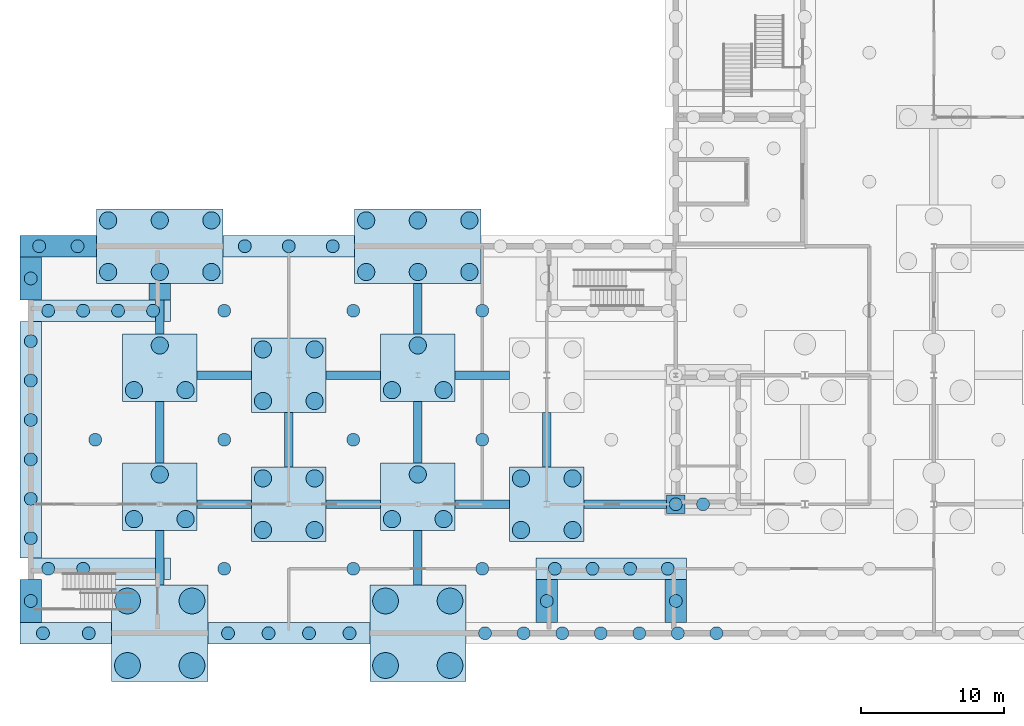
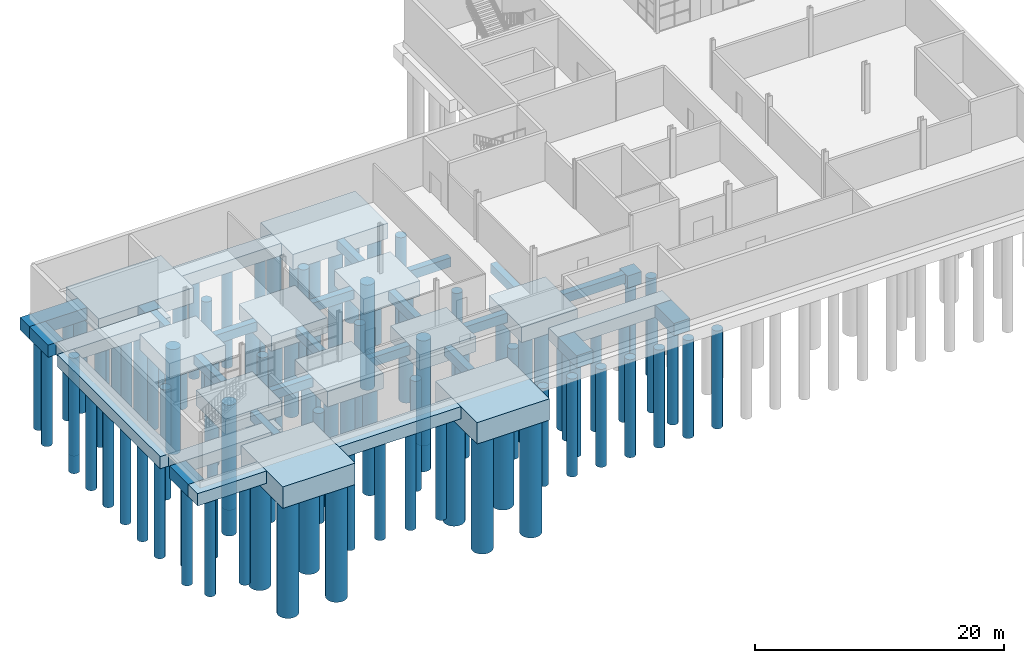
# One storey, part 1 of 17: 94 piles, 40 footings.
"""IFC4 building model written with IfcOpenShell, lengths in metres."""

from ifc_helpers import new_model, si_unit, direction, frame, origin, origin_2d, place, context, subcontext, project, spatial, polyline, circle, outline, extrude, material, material_profile, profile_set, type_object, element, save


model = new_model("IFC4")

# Units and contexts
model_context = context("Model", 3, precision=1e-05, world=origin(), true_north=direction((0.0, 1.0)))
body_context = subcontext(model_context, "Body", "Model", "MODEL_VIEW")
ifc_project = project(units=[si_unit("LENGTHUNIT", "METRE"), si_unit("AREAUNIT", "SQUARE_METRE"), si_unit("VOLUMEUNIT", "CUBIC_METRE"), si_unit("PLANEANGLEUNIT", "RADIAN"), si_unit("MASSUNIT", "GRAM", prefix="KILO")], contexts=[model_context])

# Site, building, storey
site_placement = place(None, origin())
site = spatial("IfcSite", under=ifc_project, at=site_placement, CompositionType="ELEMENT")
building_placement = place(site_placement, origin())
building = spatial("IfcBuilding", under=site, at=building_placement, Name="Halyard Row Museum", CompositionType="ELEMENT")
storey_placement = place(building_placement, frame((0.0, 0.0, -9.60009765625)))
storey = spatial("IfcBuildingStorey", under=building, at=storey_placement, Name="B2", CompositionType="ELEMENT", Elevation=-9.60009765625)

# Piles
ifc_material_1 = material(Name="Concrete 40 MPa", Category="concrete")
ifc_material_profile_1 = material_profile(ifc_material_1, circle(Radius=0.60009765625, at=origin_2d()), Name="Bored pile 1200 x 10.3")
ifc_profile_set_1 = profile_set([ifc_material_profile_1], Name="Concrete 40 MPa")
pile_type_1 = type_object("IfcPileType", Name="Bored pile 1200 x 10.3", PredefinedType="BORED", material=ifc_profile_set_1)
for number, where, z_axis, x_axis, name in (
    (1, (34.199951171875, 25.960693359375, -2.099853515625), (0.0, 0.0, -1.0), (1.0, 0.0, 0.0), "pile:B2:5D:1"),
    (2, (37.800048828125, 25.960693359375, -2.099853515625), (0.0, 0.0, -1.0), (1.0, 0.0, 0.0), "pile:B2:5D:2"),
    (3, (36.0, 29.078369140625, -2.099853515625), (0.0, 0.0, -1.0), (1.0, 0.0, 0.0), "pile:B2:5D:3"),
    (4, (43.199951171875, 25.199951171875, -2.099853515625), (0.0, 0.0, -1.0), (1.0, 0.0, 0.0), "pile:B2:6D:1"),
    (5, (46.800048828125, 25.199951171875, -2.099853515625), (0.0, 0.0, -1.0), (1.0, 0.0, 0.0), "pile:B2:6D:2"),
    (6, (43.199951171875, 28.800048828125, -2.099853515625), (0.0, 0.0, -1.0), (1.0, 0.0, 0.0), "pile:B2:6D:3"),
    (7, (46.800048828125, 28.800048828125, -2.099853515625), (0.0, 0.0, -1.0), (1.0, 0.0, 0.0), "pile:B2:6D:4"),
    (8, (52.199951171875, 25.960693359375, -2.099853515625), (0.0, 0.0, -1.0), (1.0, 0.0, 0.0), "pile:B2:7D:1"),
    (9, (55.800048828125, 25.960693359375, -2.099853515625), (0.0, 0.0, -1.0), (1.0, 0.0, 0.0), "pile:B2:7D:2"),
    (10, (54.0, 29.078369140625, -2.099853515625), (0.0, 0.0, -1.0), (1.0, 0.0, 0.0), "pile:B2:7D:3"),
    (11, (61.199951171875, 25.199951171875, -2.099853515625), (0.0, 0.0, -1.0), (1.0, 0.0, 0.0), "pile:B2:8D:1"),
    (12, (64.800048828125, 25.199951171875, -2.099853515625), (0.0, 0.0, -1.0), (1.0, 0.0, 0.0), "pile:B2:8D:2"),
    (13, (61.199951171875, 28.800048828125, -2.099853515625), (0.0, 0.0, -1.0), (1.0, 0.0, 0.0), "pile:B2:8D:3"),
    (14, (64.800048828125, 28.800048828125, -2.099853515625), (0.0, 0.0, -1.0), (1.0, 0.0, 0.0), "pile:B2:8D:4"),
    (15, (34.199951171875, 34.960693359375, -2.099853515625), (0.0, 0.0, -1.0), (1.0, 0.0, 0.0), "pile:B2:5E:1"),
    (16, (37.800048828125, 34.960693359375, -2.099853515625), (0.0, 0.0, -1.0), (1.0, 0.0, 0.0), "pile:B2:5E:2"),
    (17, (36.0, 38.078369140625, -2.099853515625), (0.0, 0.0, -1.0), (1.0, 0.0, 0.0), "pile:B2:5E:3"),
    (18, (43.199951171875, 34.199951171875, -2.099853515625), (0.0, 0.0, -1.0), (1.0, 0.0, 0.0), "pile:B2:6E:1"),
    (19, (46.800048828125, 34.199951171875, -2.099853515625), (0.0, 0.0, -1.0), (1.0, 0.0, 0.0), "pile:B2:6E:2"),
    (20, (43.199951171875, 37.800048828125, -2.099853515625), (0.0, 0.0, -1.0), (1.0, 0.0, 0.0), "pile:B2:6E:3"),
    (21, (46.800048828125, 37.800048828125, -2.099853515625), (0.0, 0.0, -1.0), (1.0, 0.0, 0.0), "pile:B2:6E:4"),
    (22, (52.199951171875, 34.960693359375, -2.099853515625), (0.0, 0.0, -1.0), (1.0, 0.0, 0.0), "pile:B2:7E:1"),
    (23, (55.800048828125, 34.960693359375, -2.099853515625), (0.0, 0.0, -1.0), (1.0, 0.0, 0.0), "pile:B2:7E:2"),
    (24, (54.0, 38.078369140625, -2.099853515625), (0.0, 0.0, -1.0), (1.0, 0.0, 0.0), "pile:B2:7E:3"),
    (25, (32.39990234375, 43.199951171875, -2.099853515625), (0.0, 0.0, -1.0), (1.0, 0.0, 0.0), "pile:B2:5F:1"),
    (26, (36.0, 43.199951171875, -2.099853515625), (0.0, 0.0, -1.0), (1.0, 0.0, 0.0), "pile:B2:5F:2"),
    (27, (39.60009765625, 43.199951171875, -2.099853515625), (0.0, 0.0, -1.0), (1.0, 0.0, 0.0), "pile:B2:5F:3"),
    (28, (32.39990234375, 46.800048828125, -2.099853515625), (0.0, 0.0, -1.0), (1.0, 0.0, 0.0), "pile:B2:5F:4"),
    (29, (36.0, 46.800048828125, -2.099853515625), (0.0, 0.0, -1.0), (1.0, 0.0, 0.0), "pile:B2:5F:5"),
    (30, (39.60009765625, 46.800048828125, -2.099853515625), (0.0, 0.0, -1.0), (1.0, 0.0, 0.0), "pile:B2:5F:6"),
    (31, (50.39990234375, 43.199951171875, -2.099853515625), (0.0, 0.0, -1.0), (1.0, 0.0, 0.0), "pile:B2:7F:1"),
    (32, (54.0, 43.199951171875, -2.099853515625), (0.0, 0.0, -1.0), (1.0, 0.0, 0.0), "pile:B2:7F:2"),
    (33, (57.60009765625, 43.199951171875, -2.099853515625), (0.0, 0.0, -1.0), (1.0, 0.0, 0.0), "pile:B2:7F:3"),
    (34, (50.39990234375, 46.800048828125, -2.099853515625), (0.0, 0.0, -1.0), (1.0, 0.0, 0.0), "pile:B2:7F:4"),
    (35, (54.0, 46.800048828125, -2.099853515625), (0.0, 0.0, -1.0), (1.0, 0.0, 0.0), "pile:B2:7F:5"),
    (36, (57.60009765625, 46.800048828125, -2.099853515625), (0.0, 0.0, -1.0), (1.0, 0.0, 0.0), "pile:B2:7F:6"),
):
    element("IfcPile", number, at=place(storey_placement, frame(where, z_axis=z_axis, x_axis=x_axis)), inside=storey, type_object=pile_type_1, Name=name, PredefinedType="BORED", context=body_context, shape_type="SweptSolid", body=[
        extrude(circle(Radius=0.60009765625, at=origin_2d()), origin(), (0.0, 0.0, 1.0), 10.300048828125),
    ])
ifc_material_2 = material(Name="Concrete 40 MPa", Category="concrete")
ifc_material_profile_2 = material_profile(ifc_material_2, circle(Radius=0.89990234375, at=origin_2d()), Name="Bored pile 1800 x 11.2")
ifc_profile_set_2 = profile_set([ifc_material_profile_2], Name="Concrete 40 MPa")
pile_type_2 = type_object("IfcPileType", Name="Bored pile 1800 x 11.2", PredefinedType="BORED", material=ifc_profile_set_2)
for number, where, z_axis, x_axis, name in (
    (37, (33.75, 15.75, -2.699951171875), (0.0, 0.0, -1.0), (1.0, 0.0, 0.0), "pile:B2:5C:1"),
    (38, (38.25, 15.75, -2.699951171875), (0.0, 0.0, -1.0), (1.0, 0.0, 0.0), "pile:B2:5C:2"),
    (39, (33.75, 20.25, -2.699951171875), (0.0, 0.0, -1.0), (1.0, 0.0, 0.0), "pile:B2:5C:3"),
    (40, (38.25, 20.25, -2.699951171875), (0.0, 0.0, -1.0), (1.0, 0.0, 0.0), "pile:B2:5C:4"),
    (41, (51.75, 15.75, -2.699951171875), (0.0, 0.0, -1.0), (1.0, 0.0, 0.0), "pile:B2:7C:1"),
    (42, (56.25, 15.75, -2.699951171875), (0.0, 0.0, -1.0), (1.0, 0.0, 0.0), "pile:B2:7C:2"),
    (43, (51.75, 20.25, -2.699951171875), (0.0, 0.0, -1.0), (1.0, 0.0, 0.0), "pile:B2:7C:3"),
    (44, (56.25, 20.25, -2.699951171875), (0.0, 0.0, -1.0), (1.0, 0.0, 0.0), "pile:B2:7C:4"),
):
    element("IfcPile", number, at=place(storey_placement, frame(where, z_axis=z_axis, x_axis=x_axis)), inside=storey, type_object=pile_type_2, Name=name, PredefinedType="BORED", context=body_context, shape_type="SweptSolid", body=[
        extrude(circle(Radius=0.89990234375, at=origin_2d()), origin(), (0.0, 0.0, 1.0), 11.199951171875),
    ])
ifc_material_3 = material(Name="Concrete 40 MPa", Category="concrete")
ifc_material_profile_3 = material_profile(ifc_material_3, circle(Radius=0.449951171875, at=origin_2d()), Name="Bored pile 900 x 10.8")
ifc_profile_set_3 = profile_set([ifc_material_profile_3], Name="Concrete 40 MPa")
pile_type_3 = type_object("IfcPileType", Name="Bored pile 900 x 10.8", PredefinedType="BORED", material=ifc_profile_set_3)
for number, where, z_axis, x_axis, name in (
    (45, (40.5, 22.5, -0.599853515625), (0.0, 0.0, -1.0), (1.0, 0.0, 0.0), "pile:B2:ten01"),
    (46, (49.5, 22.5, -0.599853515625), (0.0, 0.0, -1.0), (1.0, 0.0, 0.0), "pile:B2:ten02"),
    (47, (58.5, 22.5, -0.599853515625), (0.0, 0.0, -1.0), (1.0, 0.0, 0.0), "pile:B2:ten03"),
    (48, (31.5, 31.5, -0.599853515625), (0.0, 0.0, -1.0), (1.0, 0.0, 0.0), "pile:B2:ten08"),
    (49, (40.5, 31.5, -0.599853515625), (0.0, 0.0, -1.0), (1.0, 0.0, 0.0), "pile:B2:ten09"),
    (50, (49.5, 31.5, -0.599853515625), (0.0, 0.0, -1.0), (1.0, 0.0, 0.0), "pile:B2:ten10"),
    (51, (58.5, 31.5, -0.599853515625), (0.0, 0.0, -1.0), (1.0, 0.0, 0.0), "pile:B2:ten11"),
    (52, (40.5, 40.5, -0.599853515625), (0.0, 0.0, -1.0), (1.0, 0.0, 0.0), "pile:B2:ten15"),
    (53, (49.5, 40.5, -0.599853515625), (0.0, 0.0, -1.0), (1.0, 0.0, 0.0), "pile:B2:ten16"),
    (54, (58.5, 40.5, -0.599853515625), (0.0, 0.0, -1.0), (1.0, 0.0, 0.0), "pile:B2:ten17"),
):
    element("IfcPile", number, at=place(storey_placement, frame(where, z_axis=z_axis, x_axis=x_axis)), inside=storey, type_object=pile_type_3, Name=name, PredefinedType="BORED", context=body_context, shape_type="SweptSolid", body=[
        extrude(circle(Radius=0.449951171875, at=origin_2d()), origin(), (0.0, 0.0, 1.0), 10.800048828125),
    ])
ifc_material_4 = material(Name="Concrete 40 MPa", Category="concrete")
ifc_material_profile_4 = material_profile(ifc_material_4, circle(Radius=0.449951171875, at=origin_2d()), Name="Bored pile 900 x 9.6")
ifc_profile_set_4 = profile_set([ifc_material_profile_4], Name="Concrete 40 MPa")
pile_type_4 = type_object("IfcPileType", Name="Bored pile 900 x 9.6", PredefinedType="BORED", material=ifc_profile_set_4)
for number, where, z_axis, x_axis, name in (
    (55, (72.0, 27.0, -1.7998046875), (0.0, 0.0, -1.0), (1.0, 0.0, 0.0), "pile:B2:9D:1"),
    (56, (27.0, 20.25, -1.7998046875), (0.0, 0.0, -1.0), (1.0, 0.0, 0.0), "pile:B2:01:1"),
    (57, (27.0, 24.625, -1.7998046875), (0.0, 0.0, -1.0), (1.0, 0.0, 0.0), "pile:B2:02:1"),
    (58, (27.0, 27.375, -1.7998046875), (0.0, 0.0, -1.0), (1.0, 0.0, 0.0), "pile:B2:02:2"),
    (59, (27.0, 30.125, -1.7998046875), (0.0, 0.0, -1.0), (1.0, 0.0, 0.0), "pile:B2:02:3"),
    (60, (27.0, 32.875, -1.7998046875), (0.0, 0.0, -1.0), (1.0, 0.0, 0.0), "pile:B2:02:4"),
    (61, (27.0, 35.625, -1.7998046875), (0.0, 0.0, -1.0), (1.0, 0.0, 0.0), "pile:B2:02:5"),
    (62, (27.0, 38.375, -1.7998046875), (0.0, 0.0, -1.0), (1.0, 0.0, 0.0), "pile:B2:02:6"),
    (63, (27.0, 42.75, -1.7998046875), (0.0, 0.0, -1.0), (1.0, 0.0, 0.0), "pile:B2:03:1"),
    (64, (63.0, 20.25, -1.7998046875), (0.0, 0.0, -1.0), (1.0, 0.0, 0.0), "pile:B2:05:1"),
    (65, (72.0, 20.25, -1.7998046875), (0.0, 0.0, -1.0), (1.0, 0.0, 0.0), "pile:B2:07:1"),
    (66, (27.85009765625, 18.0, -1.7998046875), (0.0, 0.0, -1.0), (1.0, 0.0, 0.0), "pile:B2:20:1"),
    (67, (31.050048828125, 18.0, -1.7998046875), (0.0, 0.0, -1.0), (1.0, 0.0, 0.0), "pile:B2:20:2"),
    (68, (40.762451171875, 18.0, -1.7998046875), (0.0, 0.0, -1.0), (1.0, 0.0, 0.0), "pile:B2:21:1"),
    (69, (43.58740234375, 18.0, -1.7998046875), (0.0, 0.0, -1.0), (1.0, 0.0, 0.0), "pile:B2:21:2"),
    (70, (46.41259765625, 18.0, -1.7998046875), (0.0, 0.0, -1.0), (1.0, 0.0, 0.0), "pile:B2:21:3"),
    (71, (49.237548828125, 18.0, -1.7998046875), (0.0, 0.0, -1.0), (1.0, 0.0, 0.0), "pile:B2:21:4"),
    (72, (58.69482421875, 18.0, -1.7998046875), (0.0, 0.0, -1.0), (1.0, 0.0, 0.0), "pile:B2:22:1"),
    (73, (61.38427734375, 18.0, -1.7998046875), (0.0, 0.0, -1.0), (1.0, 0.0, 0.0), "pile:B2:22:2"),
    (74, (64.07373046875, 18.0, -1.7998046875), (0.0, 0.0, -1.0), (1.0, 0.0, 0.0), "pile:B2:22:3"),
    (75, (66.76318359375, 18.0, -1.7998046875), (0.0, 0.0, -1.0), (1.0, 0.0, 0.0), "pile:B2:22:4"),
    (76, (69.45263671875, 18.0, -1.7998046875), (0.0, 0.0, -1.0), (1.0, 0.0, 0.0), "pile:B2:22:5"),
    (77, (72.14208984375, 18.0, -1.7998046875), (0.0, 0.0, -1.0), (1.0, 0.0, 0.0), "pile:B2:22:6"),
    (78, (74.83154296875, 18.0, -1.7998046875), (0.0, 0.0, -1.0), (1.0, 0.0, 0.0), "pile:B2:22:7"),
    (79, (28.21875, 22.5, -1.7998046875), (0.0, 0.0, -1.0), (1.0, 0.0, 0.0), "pile:B2:23:1"),
    (80, (30.65625, 22.5, -1.7998046875), (0.0, 0.0, -1.0), (1.0, 0.0, 0.0), "pile:B2:23:2"),
    (81, (63.5625, 22.5, -1.7998046875), (0.0, 0.0, -1.0), (1.0, 0.0, 0.0), "pile:B2:24:1"),
    (82, (66.1875, 22.5, -1.7998046875), (0.0, 0.0, -1.0), (1.0, 0.0, 0.0), "pile:B2:24:2"),
    (83, (68.8125, 22.5, -1.7998046875), (0.0, 0.0, -1.0), (1.0, 0.0, 0.0), "pile:B2:24:3"),
    (84, (71.4375, 22.5, -1.7998046875), (0.0, 0.0, -1.0), (1.0, 0.0, 0.0), "pile:B2:24:4"),
    (85, (73.89990234375, 27.0, -1.7998046875), (0.0, 0.0, -1.0), (1.0, 0.0, 0.0), "pile:B2:25:1"),
    (86, (28.21875, 40.5, -1.7998046875), (0.0, 0.0, -1.0), (1.0, 0.0, 0.0), "pile:B2:29:1"),
    (87, (30.65625, 40.5, -1.7998046875), (0.0, 0.0, -1.0), (1.0, 0.0, 0.0), "pile:B2:29:2"),
    (88, (33.09375, 40.5, -1.7998046875), (0.0, 0.0, -1.0), (1.0, 0.0, 0.0), "pile:B2:29:3"),
    (89, (35.53125, 40.5, -1.7998046875), (0.0, 0.0, -1.0), (1.0, 0.0, 0.0), "pile:B2:29:4"),
    (90, (27.58740234375, 45.0, -1.7998046875), (0.0, 0.0, -1.0), (1.0, 0.0, 0.0), "pile:B2:31:1"),
    (91, (30.262451171875, 45.0, -1.7998046875), (0.0, 0.0, -1.0), (1.0, 0.0, 0.0), "pile:B2:31:2"),
    (92, (41.933349609375, 45.0, -1.7998046875), (0.0, 0.0, -1.0), (1.0, 0.0, 0.0), "pile:B2:32:1"),
    (93, (45.0, 45.0, -1.7998046875), (0.0, 0.0, -1.0), (1.0, 0.0, 0.0), "pile:B2:32:2"),
    (94, (48.066650390625, 45.0, -1.7998046875), (0.0, 0.0, -1.0), (1.0, 0.0, 0.0), "pile:B2:32:3"),
):
    element("IfcPile", number, at=place(storey_placement, frame(where, z_axis=z_axis, x_axis=x_axis)), inside=storey, type_object=pile_type_4, Name=name, PredefinedType="BORED", context=body_context, shape_type="SweptSolid", body=[
        extrude(circle(Radius=0.449951171875, at=origin_2d()), origin(), (0.0, 0.0, 1.0), 9.60009765625),
    ])

# Footings
ifc_material_5 = material(Name="Concrete 40 MPa", Category="concrete")
footing_type_1 = type_object("IfcFootingType", Name="Ground beam", PredefinedType="FOOTING_BEAM", material=ifc_material_5)
footing_1_placement = place(storey_placement, frame((0.0, 0.0, -1.5)))
element("IfcFooting", 95, at=footing_1_placement, inside=storey, type_object=footing_type_1, Name="Ground beam B2-001", PredefinedType="FOOTING_BEAM", context=body_context, shape_type="SweptSolid", body=[
    extrude(outline(polyline([(35.699951171875, 21.35009765625), (36.300048828125, 21.35009765625), (36.300048828125, 25.160888671875), (35.699951171875, 25.160888671875), (35.699951171875, 21.35009765625)])), origin(), (0.0, 0.0, 1.0), 0.900146484375),
])
footing_2_placement = place(storey_placement, frame((0.0, 0.0, -1.5)))
element("IfcFooting", 96, at=footing_2_placement, inside=storey, type_object=footing_type_1, Name="Ground beam B2-002", PredefinedType="FOOTING_BEAM", context=body_context, shape_type="SweptSolid", body=[
    extrude(outline(polyline([(53.699951171875, 21.35009765625), (54.300048828125, 21.35009765625), (54.300048828125, 25.160888671875), (53.699951171875, 25.160888671875), (53.699951171875, 21.35009765625)])), origin(), (0.0, 0.0, 1.0), 0.900146484375),
])
footing_3_placement = place(storey_placement, frame((0.0, 0.0, -1.5)))
element("IfcFooting", 97, at=footing_3_placement, inside=storey, type_object=footing_type_1, Name="Ground beam B2-003", PredefinedType="FOOTING_BEAM", context=body_context, shape_type="SweptSolid", body=[
    extrude(outline(polyline([(35.699951171875, 29.87841796875), (36.300048828125, 29.87841796875), (36.300048828125, 34.160888671875), (35.699951171875, 34.160888671875), (35.699951171875, 29.87841796875)])), origin(), (0.0, 0.0, 1.0), 0.900146484375),
])
footing_4_placement = place(storey_placement, frame((0.0, 0.0, -1.5)))
element("IfcFooting", 98, at=footing_4_placement, inside=storey, type_object=footing_type_1, Name="Ground beam B2-004", PredefinedType="FOOTING_BEAM", context=body_context, shape_type="SweptSolid", body=[
    extrude(outline(polyline([(38.60009765625, 26.699951171875), (42.39990234375, 26.699951171875), (42.39990234375, 27.300048828125), (38.60009765625, 27.300048828125), (38.60009765625, 26.699951171875)])), origin(), (0.0, 0.0, 1.0), 0.900146484375),
])
footing_5_placement = place(storey_placement, frame((0.0, 0.0, -1.5)))
element("IfcFooting", 99, at=footing_5_placement, inside=storey, type_object=footing_type_1, Name="Ground beam B2-005", PredefinedType="FOOTING_BEAM", context=body_context, shape_type="SweptSolid", body=[
    extrude(outline(polyline([(44.699951171875, 29.60009765625), (45.300048828125, 29.60009765625), (45.300048828125, 33.39990234375), (44.699951171875, 33.39990234375), (44.699951171875, 29.60009765625)])), origin(), (0.0, 0.0, 1.0), 0.900146484375),
])
footing_6_placement = place(storey_placement, frame((0.0, 0.0, -1.5)))
element("IfcFooting", 100, at=footing_6_placement, inside=storey, type_object=footing_type_1, Name="Ground beam B2-006", PredefinedType="FOOTING_BEAM", context=body_context, shape_type="SweptSolid", body=[
    extrude(outline(polyline([(47.60009765625, 26.699951171875), (51.39990234375, 26.699951171875), (51.39990234375, 27.300048828125), (47.60009765625, 27.300048828125), (47.60009765625, 26.699951171875)])), origin(), (0.0, 0.0, 1.0), 0.900146484375),
])
footing_7_placement = place(storey_placement, frame((0.0, 0.0, -1.5)))
element("IfcFooting", 101, at=footing_7_placement, inside=storey, type_object=footing_type_1, Name="Ground beam B2-007", PredefinedType="FOOTING_BEAM", context=body_context, shape_type="SweptSolid", body=[
    extrude(outline(polyline([(53.699951171875, 29.87841796875), (54.300048828125, 29.87841796875), (54.300048828125, 34.160888671875), (53.699951171875, 34.160888671875), (53.699951171875, 29.87841796875)])), origin(), (0.0, 0.0, 1.0), 0.900146484375),
])
footing_8_placement = place(storey_placement, frame((0.0, 0.0, -1.5)))
element("IfcFooting", 102, at=footing_8_placement, inside=storey, type_object=footing_type_1, Name="Ground beam B2-008", PredefinedType="FOOTING_BEAM", context=body_context, shape_type="SweptSolid", body=[
    extrude(outline(polyline([(56.60009765625, 26.699951171875), (60.39990234375, 26.699951171875), (60.39990234375, 27.300048828125), (56.60009765625, 27.300048828125), (56.60009765625, 26.699951171875)])), origin(), (0.0, 0.0, 1.0), 0.900146484375),
])
footing_9_placement = place(storey_placement, frame((0.0, 0.0, -1.5)))
element("IfcFooting", 103, at=footing_9_placement, inside=storey, type_object=footing_type_1, Name="Ground beam B2-009", PredefinedType="FOOTING_BEAM", context=body_context, shape_type="SweptSolid", body=[
    extrude(outline(polyline([(62.699951171875, 29.60009765625), (63.300048828125, 29.60009765625), (63.300048828125, 33.39990234375), (62.699951171875, 33.39990234375), (62.699951171875, 29.60009765625)])), origin(), (0.0, 0.0, 1.0), 0.900146484375),
])
footing_10_placement = place(storey_placement, frame((0.0, 0.0, -1.5)))
element("IfcFooting", 104, at=footing_10_placement, inside=storey, type_object=footing_type_1, Name="Ground beam B2-010", PredefinedType="FOOTING_BEAM", context=body_context, shape_type="SweptSolid", body=[
    extrude(outline(polyline([(65.60009765625, 26.699951171875), (71.35009765625, 26.699951171875), (71.35009765625, 27.300048828125), (65.60009765625, 27.300048828125), (65.60009765625, 26.699951171875)])), origin(), (0.0, 0.0, 1.0), 0.900146484375),
])
footing_11_placement = place(storey_placement, frame((0.0, 0.0, -1.5)))
element("IfcFooting", 105, at=footing_11_placement, inside=storey, type_object=footing_type_1, Name="Ground beam B2-018", PredefinedType="FOOTING_BEAM", context=body_context, shape_type="SweptSolid", body=[
    extrude(outline(polyline([(35.699951171875, 38.87841796875), (36.300048828125, 38.87841796875), (36.300048828125, 42.39990234375), (35.699951171875, 42.39990234375), (35.699951171875, 38.87841796875)])), origin(), (0.0, 0.0, 1.0), 0.900146484375),
])
footing_12_placement = place(storey_placement, frame((0.0, 0.0, -1.5)))
element("IfcFooting", 106, at=footing_12_placement, inside=storey, type_object=footing_type_1, Name="Ground beam B2-019", PredefinedType="FOOTING_BEAM", context=body_context, shape_type="SweptSolid", body=[
    extrude(outline(polyline([(38.60009765625, 35.699951171875), (42.39990234375, 35.699951171875), (42.39990234375, 36.300048828125), (38.60009765625, 36.300048828125), (38.60009765625, 35.699951171875)])), origin(), (0.0, 0.0, 1.0), 0.900146484375),
])
footing_13_placement = place(storey_placement, frame((0.0, 0.0, -1.5)))
element("IfcFooting", 107, at=footing_13_placement, inside=storey, type_object=footing_type_1, Name="Ground beam B2-020", PredefinedType="FOOTING_BEAM", context=body_context, shape_type="SweptSolid", body=[
    extrude(outline(polyline([(47.60009765625, 35.699951171875), (51.39990234375, 35.699951171875), (51.39990234375, 36.300048828125), (47.60009765625, 36.300048828125), (47.60009765625, 35.699951171875)])), origin(), (0.0, 0.0, 1.0), 0.900146484375),
])
footing_14_placement = place(storey_placement, frame((0.0, 0.0, -1.5)))
element("IfcFooting", 108, at=footing_14_placement, inside=storey, type_object=footing_type_1, Name="Ground beam B2-021", PredefinedType="FOOTING_BEAM", context=body_context, shape_type="SweptSolid", body=[
    extrude(outline(polyline([(53.699951171875, 38.87841796875), (54.300048828125, 38.87841796875), (54.300048828125, 42.39990234375), (53.699951171875, 42.39990234375), (53.699951171875, 38.87841796875)])), origin(), (0.0, 0.0, 1.0), 0.900146484375),
])
footing_15_placement = place(storey_placement, frame((0.0, 0.0, -1.5)))
element("IfcFooting", 109, at=footing_15_placement, inside=storey, type_object=footing_type_1, Name="Ground beam B2-022", PredefinedType="FOOTING_BEAM", context=body_context, shape_type="SweptSolid", body=[
    extrude(outline(polyline([(56.60009765625, 35.699951171875), (60.39990234375, 35.699951171875), (60.39990234375, 36.300048828125), (56.60009765625, 36.300048828125), (56.60009765625, 35.699951171875)])), origin(), (0.0, 0.0, 1.0), 0.900146484375),
])
ifc_material_6 = material(Name="Concrete 40 MPa", Category="concrete")
footing_type_2 = type_object("IfcFootingType", Name="Pile cap 1 piles 900", PredefinedType="PILE_CAP", material=ifc_material_6)
footing_16_placement = place(storey_placement, frame((0.0, 0.0, -1.7998046875)))
element("IfcFooting", 110, at=footing_16_placement, inside=storey, type_object=footing_type_2, Name="Pile cap 9D B2", PredefinedType="PILE_CAP", context=body_context, shape_type="SweptSolid", body=[
    extrude(outline(polyline([(71.35009765625, 26.35009765625), (72.64990234375, 26.35009765625), (72.64990234375, 27.64990234375), (71.35009765625, 27.64990234375), (71.35009765625, 26.35009765625)])), origin(), (0.0, 0.0, 1.0), 1.199951171875),
])
ifc_material_7 = material(Name="Concrete 40 MPa", Category="concrete")
footing_type_3 = type_object("IfcFootingType", Name="Pile cap 3 piles 1200", PredefinedType="PILE_CAP", material=ifc_material_7)
footing_17_placement = place(storey_placement, frame((0.0, 0.0, -2.099853515625)))
element("IfcFooting", 111, at=footing_17_placement, inside=storey, type_object=footing_type_3, Name="Pile cap 5D B2", PredefinedType="PILE_CAP", context=body_context, shape_type="SweptSolid", body=[
    extrude(outline(polyline([(33.39990234375, 25.160888671875), (38.60009765625, 25.160888671875), (38.60009765625, 29.87841796875), (33.39990234375, 29.87841796875), (33.39990234375, 25.160888671875)])), origin(), (0.0, 0.0, 1.0), 1.5),
])
footing_18_placement = place(storey_placement, frame((0.0, 0.0, -2.099853515625)))
element("IfcFooting", 112, at=footing_18_placement, inside=storey, type_object=footing_type_3, Name="Pile cap 7D B2", PredefinedType="PILE_CAP", context=body_context, shape_type="SweptSolid", body=[
    extrude(outline(polyline([(51.39990234375, 25.160888671875), (56.60009765625, 25.160888671875), (56.60009765625, 29.87841796875), (51.39990234375, 29.87841796875), (51.39990234375, 25.160888671875)])), origin(), (0.0, 0.0, 1.0), 1.5),
])
footing_19_placement = place(storey_placement, frame((0.0, 0.0, -2.099853515625)))
element("IfcFooting", 113, at=footing_19_placement, inside=storey, type_object=footing_type_3, Name="Pile cap 5E B2", PredefinedType="PILE_CAP", context=body_context, shape_type="SweptSolid", body=[
    extrude(outline(polyline([(33.39990234375, 34.160888671875), (38.60009765625, 34.160888671875), (38.60009765625, 38.87841796875), (33.39990234375, 38.87841796875), (33.39990234375, 34.160888671875)])), origin(), (0.0, 0.0, 1.0), 1.5),
])
footing_20_placement = place(storey_placement, frame((0.0, 0.0, -2.099853515625)))
element("IfcFooting", 114, at=footing_20_placement, inside=storey, type_object=footing_type_3, Name="Pile cap 7E B2", PredefinedType="PILE_CAP", context=body_context, shape_type="SweptSolid", body=[
    extrude(outline(polyline([(51.39990234375, 34.160888671875), (56.60009765625, 34.160888671875), (56.60009765625, 38.87841796875), (51.39990234375, 38.87841796875), (51.39990234375, 34.160888671875)])), origin(), (0.0, 0.0, 1.0), 1.5),
])
ifc_material_8 = material(Name="Concrete 40 MPa", Category="concrete")
footing_type_4 = type_object("IfcFootingType", Name="Pile cap 4 piles 1200", PredefinedType="PILE_CAP", material=ifc_material_8)
footing_21_placement = place(storey_placement, frame((0.0, 0.0, -2.099853515625)))
element("IfcFooting", 115, at=footing_21_placement, inside=storey, type_object=footing_type_4, Name="Pile cap 6D B2", PredefinedType="PILE_CAP", context=body_context, shape_type="SweptSolid", body=[
    extrude(outline(polyline([(42.39990234375, 24.39990234375), (47.60009765625, 24.39990234375), (47.60009765625, 29.60009765625), (42.39990234375, 29.60009765625), (42.39990234375, 24.39990234375)])), origin(), (0.0, 0.0, 1.0), 1.5),
])
footing_22_placement = place(storey_placement, frame((0.0, 0.0, -2.099853515625)))
element("IfcFooting", 116, at=footing_22_placement, inside=storey, type_object=footing_type_4, Name="Pile cap 8D B2", PredefinedType="PILE_CAP", context=body_context, shape_type="SweptSolid", body=[
    extrude(outline(polyline([(60.39990234375, 24.39990234375), (65.60009765625, 24.39990234375), (65.60009765625, 29.60009765625), (60.39990234375, 29.60009765625), (60.39990234375, 24.39990234375)])), origin(), (0.0, 0.0, 1.0), 1.5),
])
footing_23_placement = place(storey_placement, frame((0.0, 0.0, -2.099853515625)))
element("IfcFooting", 117, at=footing_23_placement, inside=storey, type_object=footing_type_4, Name="Pile cap 6E B2", PredefinedType="PILE_CAP", context=body_context, shape_type="SweptSolid", body=[
    extrude(outline(polyline([(42.39990234375, 33.39990234375), (47.60009765625, 33.39990234375), (47.60009765625, 38.60009765625), (42.39990234375, 38.60009765625), (42.39990234375, 33.39990234375)])), origin(), (0.0, 0.0, 1.0), 1.5),
])
ifc_material_9 = material(Name="Concrete 40 MPa", Category="concrete")
footing_type_5 = type_object("IfcFootingType", Name="Pile cap 4 piles 1800", PredefinedType="PILE_CAP", material=ifc_material_9)
footing_24_placement = place(storey_placement, frame((0.0, 0.0, -2.699951171875)))
element("IfcFooting", 118, at=footing_24_placement, inside=storey, type_object=footing_type_5, Name="Pile cap 5C B2", PredefinedType="PILE_CAP", context=body_context, shape_type="SweptSolid", body=[
    extrude(outline(polyline([(32.64990234375, 14.64990234375), (39.35009765625, 14.64990234375), (39.35009765625, 21.35009765625), (32.64990234375, 21.35009765625), (32.64990234375, 14.64990234375)])), origin(), (0.0, 0.0, 1.0), 2.10009765625),
])
footing_25_placement = place(storey_placement, frame((0.0, 0.0, -2.699951171875)))
element("IfcFooting", 119, at=footing_25_placement, inside=storey, type_object=footing_type_5, Name="Pile cap 7C B2", PredefinedType="PILE_CAP", context=body_context, shape_type="SweptSolid", body=[
    extrude(outline(polyline([(50.64990234375, 14.64990234375), (57.35009765625, 14.64990234375), (57.35009765625, 21.35009765625), (50.64990234375, 21.35009765625), (50.64990234375, 14.64990234375)])), origin(), (0.0, 0.0, 1.0), 2.10009765625),
])
ifc_material_10 = material(Name="Concrete 40 MPa", Category="concrete")
footing_type_6 = type_object("IfcFootingType", Name="Pile cap 6 piles 1200", PredefinedType="PILE_CAP", material=ifc_material_10)
footing_26_placement = place(storey_placement, frame((0.0, 0.0, -2.099853515625)))
element("IfcFooting", 120, at=footing_26_placement, inside=storey, type_object=footing_type_6, Name="Pile cap 5F B2", PredefinedType="PILE_CAP", context=body_context, shape_type="SweptSolid", body=[
    extrude(outline(polyline([(31.60009765625, 42.39990234375), (40.39990234375, 42.39990234375), (40.39990234375, 47.60009765625), (31.60009765625, 47.60009765625), (31.60009765625, 42.39990234375)])), origin(), (0.0, 0.0, 1.0), 1.5),
])
footing_27_placement = place(storey_placement, frame((0.0, 0.0, -2.099853515625)))
element("IfcFooting", 121, at=footing_27_placement, inside=storey, type_object=footing_type_6, Name="Pile cap 7F B2", PredefinedType="PILE_CAP", context=body_context, shape_type="SweptSolid", body=[
    extrude(outline(polyline([(49.60009765625, 42.39990234375), (58.39990234375, 42.39990234375), (58.39990234375, 47.60009765625), (49.60009765625, 47.60009765625), (49.60009765625, 42.39990234375)])), origin(), (0.0, 0.0, 1.0), 1.5),
])
ifc_material_11 = material(Name="Concrete 40 MPa", Category="concrete")
footing_type_7 = type_object("IfcFootingType", Name="Wall strip footing", PredefinedType="STRIP_FOOTING", material=ifc_material_11)
footing_28_placement = place(storey_placement, frame((0.0, 0.0, -1.7998046875)))
element("IfcFooting", 122, at=footing_28_placement, inside=storey, type_object=footing_type_7, Name="Wall strip footing B2-01", PredefinedType="STRIP_FOOTING", context=body_context, shape_type="SweptSolid", body=[
    extrude(outline(polyline([(26.25, 18.75), (27.75, 18.75), (27.75, 21.75), (26.25, 21.75), (26.25, 18.75)])), origin(), (0.0, 0.0, 1.0), 1.199951171875),
])
footing_29_placement = place(storey_placement, frame((0.0, 0.0, -1.7998046875)))
element("IfcFooting", 123, at=footing_29_placement, inside=storey, type_object=footing_type_7, Name="Wall strip footing B2-02", PredefinedType="STRIP_FOOTING", context=body_context, shape_type="SweptSolid", body=[
    extrude(outline(polyline([(26.25, 23.25), (27.75, 23.25), (27.75, 39.75), (26.25, 39.75), (26.25, 23.25)])), origin(), (0.0, 0.0, 1.0), 1.199951171875),
])
footing_30_placement = place(storey_placement, frame((0.0, 0.0, -1.7998046875)))
element("IfcFooting", 124, at=footing_30_placement, inside=storey, type_object=footing_type_7, Name="Wall strip footing B2-03", PredefinedType="STRIP_FOOTING", context=body_context, shape_type="SweptSolid", body=[
    extrude(outline(polyline([(26.25, 41.25), (27.75, 41.25), (27.75, 44.25), (26.25, 44.25), (26.25, 41.25)])), origin(), (0.0, 0.0, 1.0), 1.199951171875),
])
footing_31_placement = place(storey_placement, frame((0.0, 0.0, -1.7998046875)))
element("IfcFooting", 125, at=footing_31_placement, inside=storey, type_object=footing_type_7, Name="Wall strip footing B2-04", PredefinedType="STRIP_FOOTING", context=body_context, shape_type="SweptSolid", body=[
    extrude(outline(polyline([(36.75, 41.25), (36.75, 42.39990234375), (35.25, 42.39990234375), (35.25, 41.25), (36.75, 41.25)])), origin(), (0.0, 0.0, 1.0), 1.199951171875),
])
footing_32_placement = place(storey_placement, frame((0.0, 0.0, -1.7998046875)))
element("IfcFooting", 126, at=footing_32_placement, inside=storey, type_object=footing_type_7, Name="Wall strip footing B2-05", PredefinedType="STRIP_FOOTING", context=body_context, shape_type="SweptSolid", body=[
    extrude(outline(polyline([(62.25, 18.75), (63.75, 18.75), (63.75, 21.75), (62.25, 21.75), (62.25, 18.75)])), origin(), (0.0, 0.0, 1.0), 1.199951171875),
])
footing_33_placement = place(storey_placement, frame((0.0, 0.0, -1.7998046875)))
element("IfcFooting", 127, at=footing_33_placement, inside=storey, type_object=footing_type_7, Name="Wall strip footing B2-07", PredefinedType="STRIP_FOOTING", context=body_context, shape_type="SweptSolid", body=[
    extrude(outline(polyline([(71.25, 18.75), (72.75, 18.75), (72.75, 21.75), (71.25, 21.75), (71.25, 18.75)])), origin(), (0.0, 0.0, 1.0), 1.199951171875),
])
footing_34_placement = place(storey_placement, frame((0.0, 0.0, -1.7998046875)))
element("IfcFooting", 128, at=footing_34_placement, inside=storey, type_object=footing_type_7, Name="Wall strip footing B2-20", PredefinedType="STRIP_FOOTING", context=body_context, shape_type="SweptSolid", body=[
    extrude(outline(polyline([(26.25, 17.25), (32.64990234375, 17.25), (32.64990234375, 18.75), (26.25, 18.75), (26.25, 17.25)])), origin(), (0.0, 0.0, 1.0), 1.199951171875),
])
footing_35_placement = place(storey_placement, frame((0.0, 0.0, -1.7998046875)))
element("IfcFooting", 129, at=footing_35_placement, inside=storey, type_object=footing_type_7, Name="Wall strip footing B2-21", PredefinedType="STRIP_FOOTING", context=body_context, shape_type="SweptSolid", body=[
    extrude(outline(polyline([(50.64990234375, 18.75), (39.35009765625, 18.75), (39.35009765625, 17.25), (50.64990234375, 17.25), (50.64990234375, 18.75)])), origin(), (0.0, 0.0, 1.0), 1.199951171875),
])
footing_36_placement = place(storey_placement, frame((0.0, 0.0, -1.7998046875)))
element("IfcFooting", 130, at=footing_36_placement, inside=storey, type_object=footing_type_7, Name="Wall strip footing B2-23", PredefinedType="STRIP_FOOTING", context=body_context, shape_type="SweptSolid", body=[
    extrude(outline(polyline([(27.0, 21.75), (36.75, 21.75), (36.75, 23.25), (27.0, 23.25), (27.0, 21.75)])), origin(), (0.0, 0.0, 1.0), 1.199951171875),
])
footing_37_placement = place(storey_placement, frame((0.0, 0.0, -1.7998046875)))
element("IfcFooting", 131, at=footing_37_placement, inside=storey, type_object=footing_type_7, Name="Wall strip footing B2-24", PredefinedType="STRIP_FOOTING", context=body_context, shape_type="SweptSolid", body=[
    extrude(outline(polyline([(62.25, 21.75), (72.75, 21.75), (72.75, 23.25), (62.25, 23.25), (62.25, 21.75)])), origin(), (0.0, 0.0, 1.0), 1.199951171875),
])
footing_38_placement = place(storey_placement, frame((0.0, 0.0, -1.7998046875)))
element("IfcFooting", 132, at=footing_38_placement, inside=storey, type_object=footing_type_7, Name="Wall strip footing B2-29", PredefinedType="STRIP_FOOTING", context=body_context, shape_type="SweptSolid", body=[
    extrude(outline(polyline([(27.0, 39.75), (36.75, 39.75), (36.75, 41.25), (27.0, 41.25), (27.0, 39.75)])), origin(), (0.0, 0.0, 1.0), 1.199951171875),
])
footing_39_placement = place(storey_placement, frame((0.0, 0.0, -1.7998046875)))
element("IfcFooting", 133, at=footing_39_placement, inside=storey, type_object=footing_type_7, Name="Wall strip footing B2-31", PredefinedType="STRIP_FOOTING", context=body_context, shape_type="SweptSolid", body=[
    extrude(outline(polyline([(26.25, 44.25), (31.60009765625, 44.25), (31.60009765625, 45.75), (26.25, 45.75), (26.25, 44.25)])), origin(), (0.0, 0.0, 1.0), 1.199951171875),
])
footing_40_placement = place(storey_placement, frame((0.0, 0.0, -1.7998046875)))
element("IfcFooting", 134, at=footing_40_placement, inside=storey, type_object=footing_type_7, Name="Wall strip footing B2-32", PredefinedType="STRIP_FOOTING", context=body_context, shape_type="SweptSolid", body=[
    extrude(outline(polyline([(49.60009765625, 45.75), (40.39990234375, 45.75), (40.39990234375, 44.25), (49.60009765625, 44.25), (49.60009765625, 45.75)])), origin(), (0.0, 0.0, 1.0), 1.199951171875),
])

save(model, "model.ifc")
